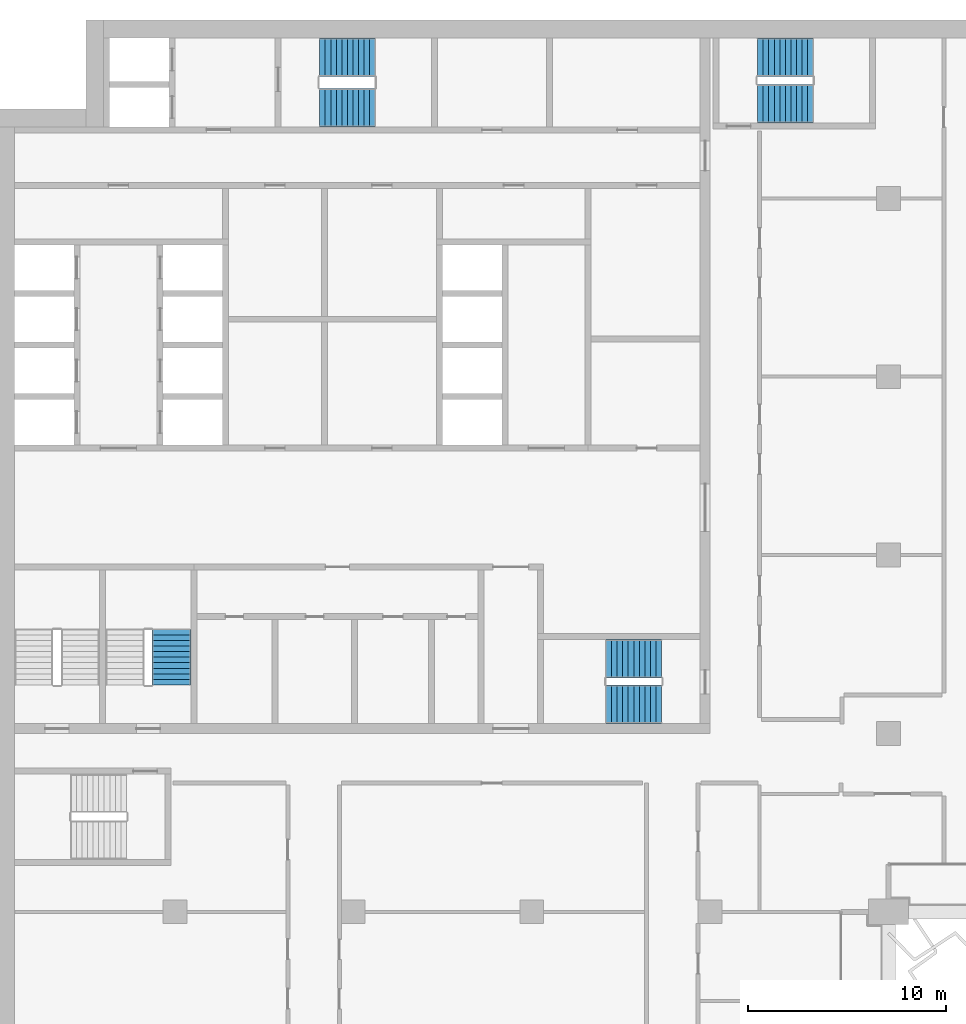
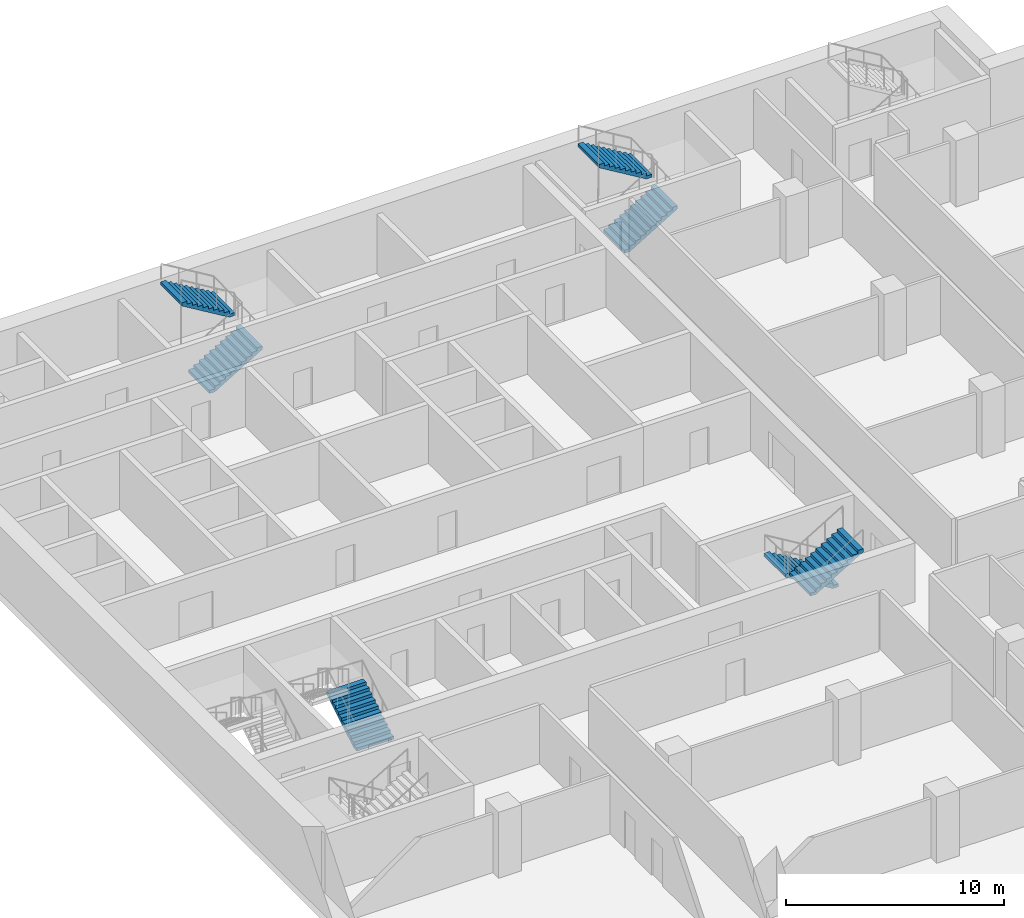
# One storey, part 16 of 22: 7 stair flights, 4 elements without a shape of their own.
"""IFC4 building model written with IfcOpenShell, lengths in metres."""

from ifc_helpers import new_model, si_unit, direction, frame, origin, place, context, subcontext, project, spatial, polyline, outline, extrude, material, type_object, element, aggregate, save


model = new_model("IFC4")

# Units and contexts
model_context = context("Model", 3, precision=1e-05, world=origin(), true_north=direction((0.0, 1.0)))
body_context = subcontext(model_context, "Body", "Model", "MODEL_VIEW")
ifc_project = project(units=[si_unit("LENGTHUNIT", "METRE"), si_unit("AREAUNIT", "SQUARE_METRE"), si_unit("VOLUMEUNIT", "CUBIC_METRE"), si_unit("PLANEANGLEUNIT", "RADIAN"), si_unit("MASSUNIT", "GRAM", prefix="KILO")], contexts=[model_context])

# Site, building, storey
site_placement = place(None, origin())
site = spatial("IfcSite", under=ifc_project, at=site_placement, CompositionType="ELEMENT")
building_placement = place(site_placement, origin())
building = spatial("IfcBuilding", under=site, at=building_placement, Name="Hunhe Ridgeline Campus", CompositionType="ELEMENT")
storey_placement = place(building_placement, frame((0.0, 0.0, 137.5)))
storey = spatial("IfcBuildingStorey", under=building, at=storey_placement, Name="L34", CompositionType="ELEMENT", Elevation=137.5)

# Stair, stair flights
ifc_material = material(Name="Concrete C40", Category="concrete")
stair_type = type_object("IfcStairType", Name="Reinforced concrete dog-leg stair 1950 Concrete C40", PredefinedType="HALF_TURN_STAIR", material=ifc_material)
stair_1_placement = place(storey_placement, origin())
stair_1 = element("IfcStair", 1, at=stair_1_placement, inside=storey, type_object=stair_type, Name="L34 S1", PredefinedType="HALF_TURN_STAIR")
stair_flight_type = type_object("IfcStairFlightType", Name="Reinforced concrete stair flight 1950 Concrete C40", PredefinedType="STRAIGHT", material=ifc_material)
stair_flight_1_placement = place(storey_placement, frame((16.300048828125, 94.574951171875, 0.0), z_axis=(0.0, 0.0, 1.0), x_axis=(1.0, 0.0, 0.0)))
stair_flight_1 = element("IfcStairFlight", 2, at=stair_flight_1_placement, type_object=stair_flight_type, Name="ST1 flight 1", NumberOfRisers=11, NumberOfTreads=10, PredefinedType="STRAIGHT", RiserHeight=0.168181818, TreadLength=0.28, context=body_context, shape_type="SweptSolid", body=[
    extrude(outline(polyline([(0.0, 0.0), (0.0, 0.168212890625), (0.280029296875, 0.168212890625), (0.280029296875, 0.33642578125), (0.56005859375, 0.33642578125), (0.56005859375, 0.504638671875), (0.840087890625, 0.504638671875), (0.840087890625, 0.672607421875), (1.1201171875, 0.672607421875), (1.1201171875, 0.8408203125), (1.39990234375, 0.8408203125), (1.39990234375, 1.009033203125), (1.679931640625, 1.009033203125), (1.679931640625, 1.17724609375), (1.9599609375, 1.17724609375), (1.9599609375, 1.345458984375), (2.239990234375, 1.345458984375), (2.239990234375, 1.513671875), (2.52001953125, 1.513671875), (2.52001953125, 1.681884765625), (2.800048828125, 1.681884765625), (2.800048828125, 1.85009765625), (2.800048828125, 1.5068359375), (0.291015625, 0.0), (0.0, 0.0)])), frame((0.0, 0.97509765625, 0.0), z_axis=(0.0, -1.0, 0.0), x_axis=(1.0, 0.0, 0.0)), (0.0, 0.0, 1.0), 1.949951171875),
    extrude(outline(polyline([(0.030029296875, 0.030029296875), (0.030029296875, 0.13818359375), (0.31005859375, 0.13818359375), (0.31005859375, 0.306396484375), (0.590087890625, 0.306396484375), (0.590087890625, 0.474609375), (0.8701171875, 0.474609375), (0.8701171875, 0.642578125), (1.14990234375, 0.642578125), (1.14990234375, 0.810791015625), (1.429931640625, 0.810791015625), (1.429931640625, 0.97900390625), (1.7099609375, 0.97900390625), (1.7099609375, 1.147216796875), (1.989990234375, 1.147216796875), (1.989990234375, 1.3154296875), (2.27001953125, 1.3154296875), (2.27001953125, 1.483642578125), (2.550048828125, 1.483642578125), (2.550048828125, 1.65185546875), (2.77001953125, 1.65185546875), (2.77001953125, 1.52392578125), (0.28271484375, 0.030029296875), (0.030029296875, 0.030029296875)])), frame((0.0, -0.070068359375, 0.0), z_axis=(0.0, -1.0, 0.0), x_axis=(1.0, 0.0, 0.0)), (0.0, 0.0, 1.0), 0.019775390625),
    extrude(outline(polyline([(0.030029296875, 0.030029296875), (0.030029296875, 0.13818359375), (0.31005859375, 0.13818359375), (0.31005859375, 0.306396484375), (0.590087890625, 0.306396484375), (0.590087890625, 0.474609375), (0.8701171875, 0.474609375), (0.8701171875, 0.642578125), (1.14990234375, 0.642578125), (1.14990234375, 0.810791015625), (1.429931640625, 0.810791015625), (1.429931640625, 0.97900390625), (1.7099609375, 0.97900390625), (1.7099609375, 1.147216796875), (1.989990234375, 1.147216796875), (1.989990234375, 1.3154296875), (2.27001953125, 1.3154296875), (2.27001953125, 1.483642578125), (2.550048828125, 1.483642578125), (2.550048828125, 1.65185546875), (2.77001953125, 1.65185546875), (2.77001953125, 1.52392578125), (0.28271484375, 0.030029296875), (0.030029296875, 0.030029296875)])), frame((0.0, 0.010009765625, 0.0), z_axis=(0.0, -1.0, 0.0), x_axis=(1.0, 0.0, 0.0)), (0.0, 0.0, 1.0), 0.019775390625),
    extrude(outline(polyline([(0.030029296875, 0.030029296875), (0.030029296875, 0.13818359375), (0.31005859375, 0.13818359375), (0.31005859375, 0.306396484375), (0.590087890625, 0.306396484375), (0.590087890625, 0.474609375), (0.8701171875, 0.474609375), (0.8701171875, 0.642578125), (1.14990234375, 0.642578125), (1.14990234375, 0.810791015625), (1.429931640625, 0.810791015625), (1.429931640625, 0.97900390625), (1.7099609375, 0.97900390625), (1.7099609375, 1.147216796875), (1.989990234375, 1.147216796875), (1.989990234375, 1.3154296875), (2.27001953125, 1.3154296875), (2.27001953125, 1.483642578125), (2.550048828125, 1.483642578125), (2.550048828125, 1.65185546875), (2.77001953125, 1.65185546875), (2.77001953125, 1.52392578125), (0.28271484375, 0.030029296875), (0.030029296875, 0.030029296875)])), frame((0.0, 0.090087890625, 0.0), z_axis=(0.0, -1.0, 0.0), x_axis=(1.0, 0.0, 0.0)), (0.0, 0.0, 1.0), 0.019775390625),
])
stair_flight_2_placement = place(storey_placement, frame((19.10009765625, 97.125, 1.85009765625), z_axis=(0.0, 0.0, 1.0), x_axis=(-1.0, 0.0, 0.0)))
stair_flight_2 = element("IfcStairFlight", 3, at=stair_flight_2_placement, type_object=stair_flight_type, Name="ST1 flight 2", NumberOfRisers=11, NumberOfTreads=10, PredefinedType="STRAIGHT", RiserHeight=0.168181818, TreadLength=0.28, context=body_context, shape_type="SweptSolid", body=[
    extrude(outline(polyline([(0.0, 0.0), (0.0, 0.168212890625), (0.280029296875, 0.168212890625), (0.280029296875, 0.33642578125), (0.56005859375, 0.33642578125), (0.56005859375, 0.504638671875), (0.840087890625, 0.504638671875), (0.840087890625, 0.672607421875), (1.1201171875, 0.672607421875), (1.1201171875, 0.8408203125), (1.39990234375, 0.8408203125), (1.39990234375, 1.009033203125), (1.679931640625, 1.009033203125), (1.679931640625, 1.17724609375), (1.9599609375, 1.17724609375), (1.9599609375, 1.345458984375), (2.239990234375, 1.345458984375), (2.239990234375, 1.513671875), (2.52001953125, 1.513671875), (2.52001953125, 1.681884765625), (2.800048828125, 1.681884765625), (2.800048828125, 1.85009765625), (2.800048828125, 1.5068359375), (0.291015625, 0.0), (0.0, 0.0)])), frame((0.0, 0.97509765625, 0.0), z_axis=(0.0, -1.0, 0.0), x_axis=(1.0, 0.0, 0.0)), (0.0, 0.0, 1.0), 1.949951171875),
    extrude(outline(polyline([(0.030029296875, 0.030029296875), (0.030029296875, 0.13818359375), (0.31005859375, 0.13818359375), (0.31005859375, 0.306396484375), (0.590087890625, 0.306396484375), (0.590087890625, 0.474609375), (0.8701171875, 0.474609375), (0.8701171875, 0.642578125), (1.14990234375, 0.642578125), (1.14990234375, 0.810791015625), (1.429931640625, 0.810791015625), (1.429931640625, 0.97900390625), (1.7099609375, 0.97900390625), (1.7099609375, 1.147216796875), (1.989990234375, 1.147216796875), (1.989990234375, 1.3154296875), (2.27001953125, 1.3154296875), (2.27001953125, 1.483642578125), (2.550048828125, 1.483642578125), (2.550048828125, 1.65185546875), (2.77001953125, 1.65185546875), (2.77001953125, 1.52392578125), (0.28271484375, 0.030029296875), (0.030029296875, 0.030029296875)])), frame((0.0, -0.070068359375, 0.0), z_axis=(0.0, -1.0, 0.0), x_axis=(1.0, 0.0, 0.0)), (0.0, 0.0, 1.0), 0.019775390625),
    extrude(outline(polyline([(0.030029296875, 0.030029296875), (0.030029296875, 0.13818359375), (0.31005859375, 0.13818359375), (0.31005859375, 0.306396484375), (0.590087890625, 0.306396484375), (0.590087890625, 0.474609375), (0.8701171875, 0.474609375), (0.8701171875, 0.642578125), (1.14990234375, 0.642578125), (1.14990234375, 0.810791015625), (1.429931640625, 0.810791015625), (1.429931640625, 0.97900390625), (1.7099609375, 0.97900390625), (1.7099609375, 1.147216796875), (1.989990234375, 1.147216796875), (1.989990234375, 1.3154296875), (2.27001953125, 1.3154296875), (2.27001953125, 1.483642578125), (2.550048828125, 1.483642578125), (2.550048828125, 1.65185546875), (2.77001953125, 1.65185546875), (2.77001953125, 1.52392578125), (0.28271484375, 0.030029296875), (0.030029296875, 0.030029296875)])), frame((0.0, 0.010009765625, 0.0), z_axis=(0.0, -1.0, 0.0), x_axis=(1.0, 0.0, 0.0)), (0.0, 0.0, 1.0), 0.019775390625),
    extrude(outline(polyline([(0.030029296875, 0.030029296875), (0.030029296875, 0.13818359375), (0.31005859375, 0.13818359375), (0.31005859375, 0.306396484375), (0.590087890625, 0.306396484375), (0.590087890625, 0.474609375), (0.8701171875, 0.474609375), (0.8701171875, 0.642578125), (1.14990234375, 0.642578125), (1.14990234375, 0.810791015625), (1.429931640625, 0.810791015625), (1.429931640625, 0.97900390625), (1.7099609375, 0.97900390625), (1.7099609375, 1.147216796875), (1.989990234375, 1.147216796875), (1.989990234375, 1.3154296875), (2.27001953125, 1.3154296875), (2.27001953125, 1.483642578125), (2.550048828125, 1.483642578125), (2.550048828125, 1.65185546875), (2.77001953125, 1.65185546875), (2.77001953125, 1.52392578125), (0.28271484375, 0.030029296875), (0.030029296875, 0.030029296875)])), frame((0.0, 0.090087890625, 0.0), z_axis=(0.0, -1.0, 0.0), x_axis=(1.0, 0.0, 0.0)), (0.0, 0.0, 1.0), 0.019775390625),
])
aggregate(stair_1, [stair_flight_1, stair_flight_2])

stair_2_placement = place(storey_placement, origin())
stair_2 = element("IfcStair", 4, at=stair_2_placement, inside=storey, type_object=stair_type, Name="L34 S2", PredefinedType="HALF_TURN_STAIR")
stair_flight_3_placement = place(storey_placement, frame((33.550048828125, 66.77490234375, 0.0), z_axis=(0.0, 0.0, 1.0), x_axis=(-1.0, 0.0, 0.0)))
stair_flight_3 = element("IfcStairFlight", 5, at=stair_flight_3_placement, type_object=stair_flight_type, Name="ST2 flight 1", NumberOfRisers=11, NumberOfTreads=10, PredefinedType="STRAIGHT", RiserHeight=0.168181818, TreadLength=0.28, context=body_context, shape_type="SweptSolid", body=[
    extrude(outline(polyline([(0.0, 0.0), (0.0, 0.168212890625), (0.280029296875, 0.168212890625), (0.280029296875, 0.33642578125), (0.56005859375, 0.33642578125), (0.56005859375, 0.504638671875), (0.840087890625, 0.504638671875), (0.840087890625, 0.672607421875), (1.1201171875, 0.672607421875), (1.1201171875, 0.8408203125), (1.39990234375, 0.8408203125), (1.39990234375, 1.009033203125), (1.679931640625, 1.009033203125), (1.679931640625, 1.17724609375), (1.9599609375, 1.17724609375), (1.9599609375, 1.345458984375), (2.239990234375, 1.345458984375), (2.239990234375, 1.513671875), (2.52001953125, 1.513671875), (2.52001953125, 1.681884765625), (2.800048828125, 1.681884765625), (2.800048828125, 1.85009765625), (2.800048828125, 1.5068359375), (0.291015625, 0.0), (0.0, 0.0)])), frame((0.0, 0.97509765625, 0.0), z_axis=(0.0, -1.0, 0.0), x_axis=(1.0, 0.0, 0.0)), (0.0, 0.0, 1.0), 1.949951171875),
    extrude(outline(polyline([(0.030029296875, 0.030029296875), (0.030029296875, 0.13818359375), (0.31005859375, 0.13818359375), (0.31005859375, 0.306396484375), (0.590087890625, 0.306396484375), (0.590087890625, 0.474609375), (0.8701171875, 0.474609375), (0.8701171875, 0.642578125), (1.14990234375, 0.642578125), (1.14990234375, 0.810791015625), (1.429931640625, 0.810791015625), (1.429931640625, 0.97900390625), (1.7099609375, 0.97900390625), (1.7099609375, 1.147216796875), (1.989990234375, 1.147216796875), (1.989990234375, 1.3154296875), (2.27001953125, 1.3154296875), (2.27001953125, 1.483642578125), (2.550048828125, 1.483642578125), (2.550048828125, 1.65185546875), (2.77001953125, 1.65185546875), (2.77001953125, 1.52392578125), (0.28271484375, 0.030029296875), (0.030029296875, 0.030029296875)])), frame((0.0, -0.070068359375, 0.0), z_axis=(0.0, -1.0, 0.0), x_axis=(1.0, 0.0, 0.0)), (0.0, 0.0, 1.0), 0.019775390625),
    extrude(outline(polyline([(0.030029296875, 0.030029296875), (0.030029296875, 0.13818359375), (0.31005859375, 0.13818359375), (0.31005859375, 0.306396484375), (0.590087890625, 0.306396484375), (0.590087890625, 0.474609375), (0.8701171875, 0.474609375), (0.8701171875, 0.642578125), (1.14990234375, 0.642578125), (1.14990234375, 0.810791015625), (1.429931640625, 0.810791015625), (1.429931640625, 0.97900390625), (1.7099609375, 0.97900390625), (1.7099609375, 1.147216796875), (1.989990234375, 1.147216796875), (1.989990234375, 1.3154296875), (2.27001953125, 1.3154296875), (2.27001953125, 1.483642578125), (2.550048828125, 1.483642578125), (2.550048828125, 1.65185546875), (2.77001953125, 1.65185546875), (2.77001953125, 1.52392578125), (0.28271484375, 0.030029296875), (0.030029296875, 0.030029296875)])), frame((0.0, 0.010009765625, 0.0), z_axis=(0.0, -1.0, 0.0), x_axis=(1.0, 0.0, 0.0)), (0.0, 0.0, 1.0), 0.019775390625),
    extrude(outline(polyline([(0.030029296875, 0.030029296875), (0.030029296875, 0.13818359375), (0.31005859375, 0.13818359375), (0.31005859375, 0.306396484375), (0.590087890625, 0.306396484375), (0.590087890625, 0.474609375), (0.8701171875, 0.474609375), (0.8701171875, 0.642578125), (1.14990234375, 0.642578125), (1.14990234375, 0.810791015625), (1.429931640625, 0.810791015625), (1.429931640625, 0.97900390625), (1.7099609375, 0.97900390625), (1.7099609375, 1.147216796875), (1.989990234375, 1.147216796875), (1.989990234375, 1.3154296875), (2.27001953125, 1.3154296875), (2.27001953125, 1.483642578125), (2.550048828125, 1.483642578125), (2.550048828125, 1.65185546875), (2.77001953125, 1.65185546875), (2.77001953125, 1.52392578125), (0.28271484375, 0.030029296875), (0.030029296875, 0.030029296875)])), frame((0.0, 0.090087890625, 0.0), z_axis=(0.0, -1.0, 0.0), x_axis=(1.0, 0.0, 0.0)), (0.0, 0.0, 1.0), 0.019775390625),
])
stair_flight_4_placement = place(storey_placement, frame((30.75, 64.47509765625, 1.85009765625), z_axis=(0.0, 0.0, 1.0), x_axis=(1.0, 0.0, 0.0)))
stair_flight_4 = element("IfcStairFlight", 6, at=stair_flight_4_placement, type_object=stair_flight_type, Name="ST2 flight 2", NumberOfRisers=11, NumberOfTreads=10, PredefinedType="STRAIGHT", RiserHeight=0.168181818, TreadLength=0.28, context=body_context, shape_type="SweptSolid", body=[
    extrude(outline(polyline([(0.0, 0.0), (0.0, 0.168212890625), (0.280029296875, 0.168212890625), (0.280029296875, 0.33642578125), (0.56005859375, 0.33642578125), (0.56005859375, 0.504638671875), (0.840087890625, 0.504638671875), (0.840087890625, 0.672607421875), (1.1201171875, 0.672607421875), (1.1201171875, 0.8408203125), (1.39990234375, 0.8408203125), (1.39990234375, 1.009033203125), (1.679931640625, 1.009033203125), (1.679931640625, 1.17724609375), (1.9599609375, 1.17724609375), (1.9599609375, 1.345458984375), (2.239990234375, 1.345458984375), (2.239990234375, 1.513671875), (2.52001953125, 1.513671875), (2.52001953125, 1.681884765625), (2.800048828125, 1.681884765625), (2.800048828125, 1.85009765625), (2.800048828125, 1.5068359375), (0.291015625, 0.0), (0.0, 0.0)])), frame((0.0, 0.97509765625, 0.0), z_axis=(0.0, -1.0, 0.0), x_axis=(1.0, 0.0, 0.0)), (0.0, 0.0, 1.0), 1.949951171875),
    extrude(outline(polyline([(0.030029296875, 0.030029296875), (0.030029296875, 0.13818359375), (0.31005859375, 0.13818359375), (0.31005859375, 0.306396484375), (0.590087890625, 0.306396484375), (0.590087890625, 0.474609375), (0.8701171875, 0.474609375), (0.8701171875, 0.642578125), (1.14990234375, 0.642578125), (1.14990234375, 0.810791015625), (1.429931640625, 0.810791015625), (1.429931640625, 0.97900390625), (1.7099609375, 0.97900390625), (1.7099609375, 1.147216796875), (1.989990234375, 1.147216796875), (1.989990234375, 1.3154296875), (2.27001953125, 1.3154296875), (2.27001953125, 1.483642578125), (2.550048828125, 1.483642578125), (2.550048828125, 1.65185546875), (2.77001953125, 1.65185546875), (2.77001953125, 1.52392578125), (0.28271484375, 0.030029296875), (0.030029296875, 0.030029296875)])), frame((0.0, -0.070068359375, 0.0), z_axis=(0.0, -1.0, 0.0), x_axis=(1.0, 0.0, 0.0)), (0.0, 0.0, 1.0), 0.019775390625),
    extrude(outline(polyline([(0.030029296875, 0.030029296875), (0.030029296875, 0.13818359375), (0.31005859375, 0.13818359375), (0.31005859375, 0.306396484375), (0.590087890625, 0.306396484375), (0.590087890625, 0.474609375), (0.8701171875, 0.474609375), (0.8701171875, 0.642578125), (1.14990234375, 0.642578125), (1.14990234375, 0.810791015625), (1.429931640625, 0.810791015625), (1.429931640625, 0.97900390625), (1.7099609375, 0.97900390625), (1.7099609375, 1.147216796875), (1.989990234375, 1.147216796875), (1.989990234375, 1.3154296875), (2.27001953125, 1.3154296875), (2.27001953125, 1.483642578125), (2.550048828125, 1.483642578125), (2.550048828125, 1.65185546875), (2.77001953125, 1.65185546875), (2.77001953125, 1.52392578125), (0.28271484375, 0.030029296875), (0.030029296875, 0.030029296875)])), frame((0.0, 0.010009765625, 0.0), z_axis=(0.0, -1.0, 0.0), x_axis=(1.0, 0.0, 0.0)), (0.0, 0.0, 1.0), 0.019775390625),
    extrude(outline(polyline([(0.030029296875, 0.030029296875), (0.030029296875, 0.13818359375), (0.31005859375, 0.13818359375), (0.31005859375, 0.306396484375), (0.590087890625, 0.306396484375), (0.590087890625, 0.474609375), (0.8701171875, 0.474609375), (0.8701171875, 0.642578125), (1.14990234375, 0.642578125), (1.14990234375, 0.810791015625), (1.429931640625, 0.810791015625), (1.429931640625, 0.97900390625), (1.7099609375, 0.97900390625), (1.7099609375, 1.147216796875), (1.989990234375, 1.147216796875), (1.989990234375, 1.3154296875), (2.27001953125, 1.3154296875), (2.27001953125, 1.483642578125), (2.550048828125, 1.483642578125), (2.550048828125, 1.65185546875), (2.77001953125, 1.65185546875), (2.77001953125, 1.52392578125), (0.28271484375, 0.030029296875), (0.030029296875, 0.030029296875)])), frame((0.0, 0.090087890625, 0.0), z_axis=(0.0, -1.0, 0.0), x_axis=(1.0, 0.0, 0.0)), (0.0, 0.0, 1.0), 0.019775390625),
])
aggregate(stair_2, [stair_flight_3, stair_flight_4])

# Stair, stair flight
stair_3_placement = place(storey_placement, origin())
stair_3 = element("IfcStair", 7, at=stair_3_placement, inside=storey, type_object=stair_type, Name="L34 S4", PredefinedType="HALF_TURN_STAIR")
stair_flight_5_placement = place(storey_placement, frame((8.824951171875, 65.449951171875, 0.0), z_axis=(0.0, 0.0, 1.0), x_axis=(0.0, 1.0, 0.0)))
stair_flight_5 = element("IfcStairFlight", 8, at=stair_flight_5_placement, type_object=stair_flight_type, Name="ST4 flight 1", NumberOfRisers=11, NumberOfTreads=10, PredefinedType="STRAIGHT", RiserHeight=0.168181818, TreadLength=0.28, context=body_context, shape_type="SweptSolid", body=[
    extrude(outline(polyline([(0.0, 0.0), (0.0, 0.168212890625), (0.280029296875, 0.168212890625), (0.280029296875, 0.33642578125), (0.56005859375, 0.33642578125), (0.56005859375, 0.504638671875), (0.840087890625, 0.504638671875), (0.840087890625, 0.672607421875), (1.1201171875, 0.672607421875), (1.1201171875, 0.8408203125), (1.39990234375, 0.8408203125), (1.39990234375, 1.009033203125), (1.679931640625, 1.009033203125), (1.679931640625, 1.17724609375), (1.9599609375, 1.17724609375), (1.9599609375, 1.345458984375), (2.239990234375, 1.345458984375), (2.239990234375, 1.513671875), (2.52001953125, 1.513671875), (2.52001953125, 1.681884765625), (2.800048828125, 1.681884765625), (2.800048828125, 1.85009765625), (2.800048828125, 1.5068359375), (0.291015625, 0.0), (0.0, 0.0)])), frame((0.0, 0.97509765625, 0.0), z_axis=(0.0, -1.0, 0.0), x_axis=(1.0, 0.0, 0.0)), (0.0, 0.0, 1.0), 1.949951171875),
    extrude(outline(polyline([(0.030029296875, 0.030029296875), (0.030029296875, 0.13818359375), (0.31005859375, 0.13818359375), (0.31005859375, 0.306396484375), (0.590087890625, 0.306396484375), (0.590087890625, 0.474609375), (0.8701171875, 0.474609375), (0.8701171875, 0.642578125), (1.14990234375, 0.642578125), (1.14990234375, 0.810791015625), (1.429931640625, 0.810791015625), (1.429931640625, 0.97900390625), (1.7099609375, 0.97900390625), (1.7099609375, 1.147216796875), (1.989990234375, 1.147216796875), (1.989990234375, 1.3154296875), (2.27001953125, 1.3154296875), (2.27001953125, 1.483642578125), (2.550048828125, 1.483642578125), (2.550048828125, 1.65185546875), (2.77001953125, 1.65185546875), (2.77001953125, 1.52392578125), (0.28271484375, 0.030029296875), (0.030029296875, 0.030029296875)])), frame((0.0, -0.070068359375, 0.0), z_axis=(0.0, -1.0, 0.0), x_axis=(1.0, 0.0, 0.0)), (0.0, 0.0, 1.0), 0.019775390625),
    extrude(outline(polyline([(0.030029296875, 0.030029296875), (0.030029296875, 0.13818359375), (0.31005859375, 0.13818359375), (0.31005859375, 0.306396484375), (0.590087890625, 0.306396484375), (0.590087890625, 0.474609375), (0.8701171875, 0.474609375), (0.8701171875, 0.642578125), (1.14990234375, 0.642578125), (1.14990234375, 0.810791015625), (1.429931640625, 0.810791015625), (1.429931640625, 0.97900390625), (1.7099609375, 0.97900390625), (1.7099609375, 1.147216796875), (1.989990234375, 1.147216796875), (1.989990234375, 1.3154296875), (2.27001953125, 1.3154296875), (2.27001953125, 1.483642578125), (2.550048828125, 1.483642578125), (2.550048828125, 1.65185546875), (2.77001953125, 1.65185546875), (2.77001953125, 1.52392578125), (0.28271484375, 0.030029296875), (0.030029296875, 0.030029296875)])), frame((0.0, 0.010009765625, 0.0), z_axis=(0.0, -1.0, 0.0), x_axis=(1.0, 0.0, 0.0)), (0.0, 0.0, 1.0), 0.019775390625),
    extrude(outline(polyline([(0.030029296875, 0.030029296875), (0.030029296875, 0.13818359375), (0.31005859375, 0.13818359375), (0.31005859375, 0.306396484375), (0.590087890625, 0.306396484375), (0.590087890625, 0.474609375), (0.8701171875, 0.474609375), (0.8701171875, 0.642578125), (1.14990234375, 0.642578125), (1.14990234375, 0.810791015625), (1.429931640625, 0.810791015625), (1.429931640625, 0.97900390625), (1.7099609375, 0.97900390625), (1.7099609375, 1.147216796875), (1.989990234375, 1.147216796875), (1.989990234375, 1.3154296875), (2.27001953125, 1.3154296875), (2.27001953125, 1.483642578125), (2.550048828125, 1.483642578125), (2.550048828125, 1.65185546875), (2.77001953125, 1.65185546875), (2.77001953125, 1.52392578125), (0.28271484375, 0.030029296875), (0.030029296875, 0.030029296875)])), frame((0.0, 0.090087890625, 0.0), z_axis=(0.0, -1.0, 0.0), x_axis=(1.0, 0.0, 0.0)), (0.0, 0.0, 1.0), 0.019775390625),
])
aggregate(stair_3, [stair_flight_5])

# Stair, stair flights
stair_4_placement = place(storey_placement, origin())
stair_4 = element("IfcStair", 9, at=stair_4_placement, inside=storey, type_object=stair_type, Name="L34 E1", PredefinedType="HALF_TURN_STAIR")
stair_flight_6_placement = place(storey_placement, frame((38.39990234375, 94.77490234375, 0.0), z_axis=(0.0, 0.0, 1.0), x_axis=(1.0, 0.0, 0.0)))
stair_flight_6 = element("IfcStairFlight", 10, at=stair_flight_6_placement, type_object=stair_flight_type, Name="ST5 flight 1", NumberOfRisers=11, NumberOfTreads=10, PredefinedType="STRAIGHT", RiserHeight=0.168181818, TreadLength=0.28, context=body_context, shape_type="SweptSolid", body=[
    extrude(outline(polyline([(0.0, 0.0), (0.0, 0.168212890625), (0.280029296875, 0.168212890625), (0.280029296875, 0.33642578125), (0.56005859375, 0.33642578125), (0.56005859375, 0.504638671875), (0.840087890625, 0.504638671875), (0.840087890625, 0.672607421875), (1.1201171875, 0.672607421875), (1.1201171875, 0.8408203125), (1.39990234375, 0.8408203125), (1.39990234375, 1.009033203125), (1.679931640625, 1.009033203125), (1.679931640625, 1.17724609375), (1.9599609375, 1.17724609375), (1.9599609375, 1.345458984375), (2.239990234375, 1.345458984375), (2.239990234375, 1.513671875), (2.52001953125, 1.513671875), (2.52001953125, 1.681884765625), (2.800048828125, 1.681884765625), (2.800048828125, 1.85009765625), (2.800048828125, 1.5068359375), (0.291015625, 0.0), (0.0, 0.0)])), frame((0.0, 0.97509765625, 0.0), z_axis=(0.0, -1.0, 0.0), x_axis=(1.0, 0.0, 0.0)), (0.0, 0.0, 1.0), 1.949951171875),
    extrude(outline(polyline([(0.030029296875, 0.030029296875), (0.030029296875, 0.13818359375), (0.31005859375, 0.13818359375), (0.31005859375, 0.306396484375), (0.590087890625, 0.306396484375), (0.590087890625, 0.474609375), (0.8701171875, 0.474609375), (0.8701171875, 0.642578125), (1.14990234375, 0.642578125), (1.14990234375, 0.810791015625), (1.429931640625, 0.810791015625), (1.429931640625, 0.97900390625), (1.7099609375, 0.97900390625), (1.7099609375, 1.147216796875), (1.989990234375, 1.147216796875), (1.989990234375, 1.3154296875), (2.27001953125, 1.3154296875), (2.27001953125, 1.483642578125), (2.550048828125, 1.483642578125), (2.550048828125, 1.65185546875), (2.77001953125, 1.65185546875), (2.77001953125, 1.52392578125), (0.28271484375, 0.030029296875), (0.030029296875, 0.030029296875)])), frame((0.0, -0.070068359375, 0.0), z_axis=(0.0, -1.0, 0.0), x_axis=(1.0, 0.0, 0.0)), (0.0, 0.0, 1.0), 0.019775390625),
    extrude(outline(polyline([(0.030029296875, 0.030029296875), (0.030029296875, 0.13818359375), (0.31005859375, 0.13818359375), (0.31005859375, 0.306396484375), (0.590087890625, 0.306396484375), (0.590087890625, 0.474609375), (0.8701171875, 0.474609375), (0.8701171875, 0.642578125), (1.14990234375, 0.642578125), (1.14990234375, 0.810791015625), (1.429931640625, 0.810791015625), (1.429931640625, 0.97900390625), (1.7099609375, 0.97900390625), (1.7099609375, 1.147216796875), (1.989990234375, 1.147216796875), (1.989990234375, 1.3154296875), (2.27001953125, 1.3154296875), (2.27001953125, 1.483642578125), (2.550048828125, 1.483642578125), (2.550048828125, 1.65185546875), (2.77001953125, 1.65185546875), (2.77001953125, 1.52392578125), (0.28271484375, 0.030029296875), (0.030029296875, 0.030029296875)])), frame((0.0, 0.010009765625, 0.0), z_axis=(0.0, -1.0, 0.0), x_axis=(1.0, 0.0, 0.0)), (0.0, 0.0, 1.0), 0.019775390625),
    extrude(outline(polyline([(0.030029296875, 0.030029296875), (0.030029296875, 0.13818359375), (0.31005859375, 0.13818359375), (0.31005859375, 0.306396484375), (0.590087890625, 0.306396484375), (0.590087890625, 0.474609375), (0.8701171875, 0.474609375), (0.8701171875, 0.642578125), (1.14990234375, 0.642578125), (1.14990234375, 0.810791015625), (1.429931640625, 0.810791015625), (1.429931640625, 0.97900390625), (1.7099609375, 0.97900390625), (1.7099609375, 1.147216796875), (1.989990234375, 1.147216796875), (1.989990234375, 1.3154296875), (2.27001953125, 1.3154296875), (2.27001953125, 1.483642578125), (2.550048828125, 1.483642578125), (2.550048828125, 1.65185546875), (2.77001953125, 1.65185546875), (2.77001953125, 1.52392578125), (0.28271484375, 0.030029296875), (0.030029296875, 0.030029296875)])), frame((0.0, 0.090087890625, 0.0), z_axis=(0.0, -1.0, 0.0), x_axis=(1.0, 0.0, 0.0)), (0.0, 0.0, 1.0), 0.019775390625),
])
stair_flight_7_placement = place(storey_placement, frame((41.199951171875, 97.125, 1.85009765625), z_axis=(0.0, 0.0, 1.0), x_axis=(-1.0, 0.0, 0.0)))
stair_flight_7 = element("IfcStairFlight", 11, at=stair_flight_7_placement, type_object=stair_flight_type, Name="ST5 flight 2", NumberOfRisers=11, NumberOfTreads=10, PredefinedType="STRAIGHT", RiserHeight=0.168181818, TreadLength=0.28, context=body_context, shape_type="SweptSolid", body=[
    extrude(outline(polyline([(0.0, 0.0), (0.0, 0.168212890625), (0.280029296875, 0.168212890625), (0.280029296875, 0.33642578125), (0.56005859375, 0.33642578125), (0.56005859375, 0.504638671875), (0.840087890625, 0.504638671875), (0.840087890625, 0.672607421875), (1.1201171875, 0.672607421875), (1.1201171875, 0.8408203125), (1.39990234375, 0.8408203125), (1.39990234375, 1.009033203125), (1.679931640625, 1.009033203125), (1.679931640625, 1.17724609375), (1.9599609375, 1.17724609375), (1.9599609375, 1.345458984375), (2.239990234375, 1.345458984375), (2.239990234375, 1.513671875), (2.52001953125, 1.513671875), (2.52001953125, 1.681884765625), (2.800048828125, 1.681884765625), (2.800048828125, 1.85009765625), (2.800048828125, 1.5068359375), (0.291015625, 0.0), (0.0, 0.0)])), frame((0.0, 0.97509765625, 0.0), z_axis=(0.0, -1.0, 0.0), x_axis=(1.0, 0.0, 0.0)), (0.0, 0.0, 1.0), 1.949951171875),
    extrude(outline(polyline([(0.030029296875, 0.030029296875), (0.030029296875, 0.13818359375), (0.31005859375, 0.13818359375), (0.31005859375, 0.306396484375), (0.590087890625, 0.306396484375), (0.590087890625, 0.474609375), (0.8701171875, 0.474609375), (0.8701171875, 0.642578125), (1.14990234375, 0.642578125), (1.14990234375, 0.810791015625), (1.429931640625, 0.810791015625), (1.429931640625, 0.97900390625), (1.7099609375, 0.97900390625), (1.7099609375, 1.147216796875), (1.989990234375, 1.147216796875), (1.989990234375, 1.3154296875), (2.27001953125, 1.3154296875), (2.27001953125, 1.483642578125), (2.550048828125, 1.483642578125), (2.550048828125, 1.65185546875), (2.77001953125, 1.65185546875), (2.77001953125, 1.52392578125), (0.28271484375, 0.030029296875), (0.030029296875, 0.030029296875)])), frame((0.0, -0.070068359375, 0.0), z_axis=(0.0, -1.0, 0.0), x_axis=(1.0, 0.0, 0.0)), (0.0, 0.0, 1.0), 0.019775390625),
    extrude(outline(polyline([(0.030029296875, 0.030029296875), (0.030029296875, 0.13818359375), (0.31005859375, 0.13818359375), (0.31005859375, 0.306396484375), (0.590087890625, 0.306396484375), (0.590087890625, 0.474609375), (0.8701171875, 0.474609375), (0.8701171875, 0.642578125), (1.14990234375, 0.642578125), (1.14990234375, 0.810791015625), (1.429931640625, 0.810791015625), (1.429931640625, 0.97900390625), (1.7099609375, 0.97900390625), (1.7099609375, 1.147216796875), (1.989990234375, 1.147216796875), (1.989990234375, 1.3154296875), (2.27001953125, 1.3154296875), (2.27001953125, 1.483642578125), (2.550048828125, 1.483642578125), (2.550048828125, 1.65185546875), (2.77001953125, 1.65185546875), (2.77001953125, 1.52392578125), (0.28271484375, 0.030029296875), (0.030029296875, 0.030029296875)])), frame((0.0, 0.010009765625, 0.0), z_axis=(0.0, -1.0, 0.0), x_axis=(1.0, 0.0, 0.0)), (0.0, 0.0, 1.0), 0.019775390625),
    extrude(outline(polyline([(0.030029296875, 0.030029296875), (0.030029296875, 0.13818359375), (0.31005859375, 0.13818359375), (0.31005859375, 0.306396484375), (0.590087890625, 0.306396484375), (0.590087890625, 0.474609375), (0.8701171875, 0.474609375), (0.8701171875, 0.642578125), (1.14990234375, 0.642578125), (1.14990234375, 0.810791015625), (1.429931640625, 0.810791015625), (1.429931640625, 0.97900390625), (1.7099609375, 0.97900390625), (1.7099609375, 1.147216796875), (1.989990234375, 1.147216796875), (1.989990234375, 1.3154296875), (2.27001953125, 1.3154296875), (2.27001953125, 1.483642578125), (2.550048828125, 1.483642578125), (2.550048828125, 1.65185546875), (2.77001953125, 1.65185546875), (2.77001953125, 1.52392578125), (0.28271484375, 0.030029296875), (0.030029296875, 0.030029296875)])), frame((0.0, 0.090087890625, 0.0), z_axis=(0.0, -1.0, 0.0), x_axis=(1.0, 0.0, 0.0)), (0.0, 0.0, 1.0), 0.019775390625),
])
aggregate(stair_4, [stair_flight_6, stair_flight_7])

save(model, "model.ifc")
